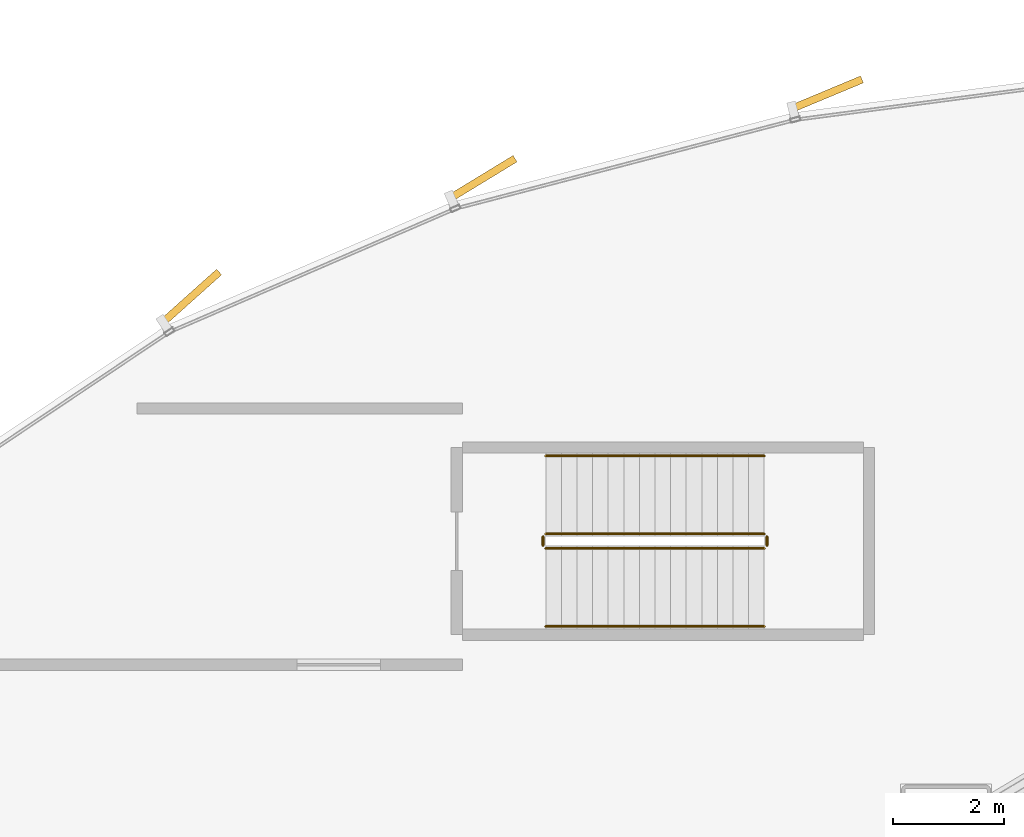
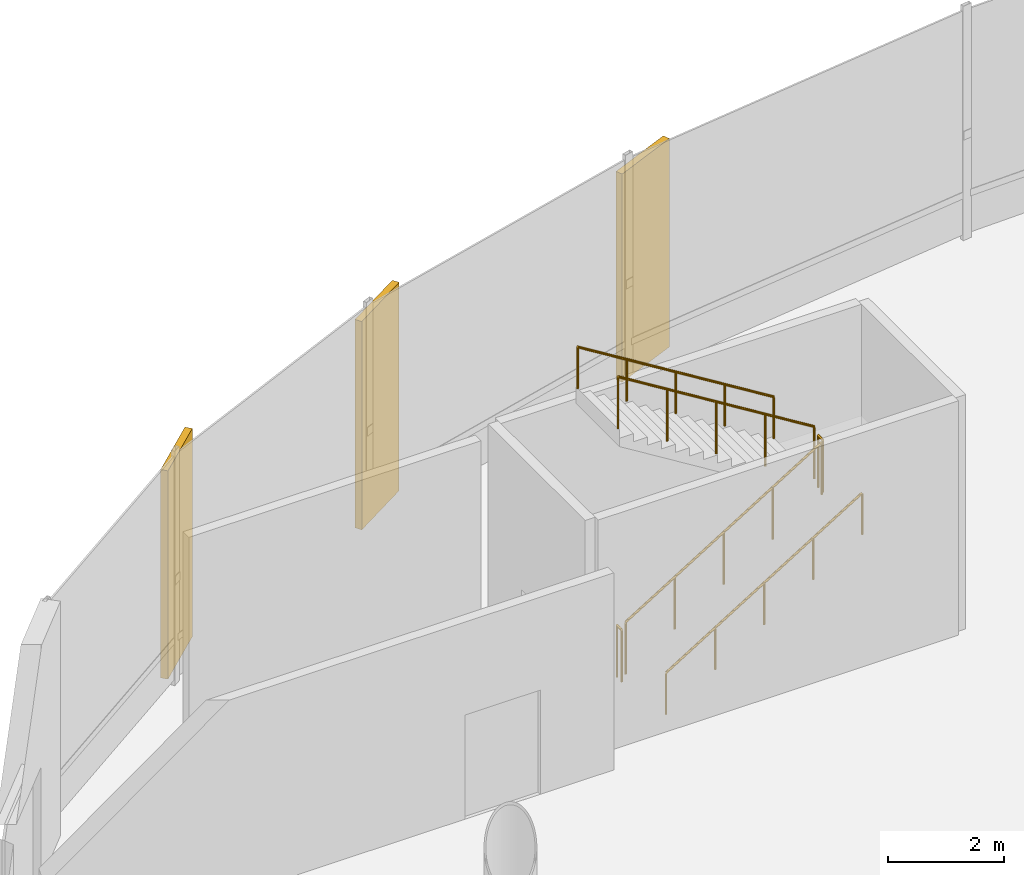
# One storey, part 32 of 35: 6 railings, 3 coverings.
"""IFC4 building model written with IfcOpenShell, lengths in metres."""

from ifc_helpers import new_model, si_unit, direction, frame, origin, origin_2d, place, context, subcontext, project, spatial, rectangle, circle, extrude, source, transform, mapped, material, layer, layer_set, type_object, element, save


model = new_model("IFC4")

# Units and contexts
model_context = context("Model", 3, precision=1e-05, world=origin(), true_north=direction((0.0, 1.0)))
body_context = subcontext(model_context, "Body", "Model", "MODEL_VIEW")
ifc_project = project(units=[si_unit("LENGTHUNIT", "METRE"), si_unit("AREAUNIT", "SQUARE_METRE"), si_unit("VOLUMEUNIT", "CUBIC_METRE"), si_unit("PLANEANGLEUNIT", "RADIAN"), si_unit("MASSUNIT", "GRAM", prefix="KILO"), si_unit("THERMODYNAMICTEMPERATUREUNIT", "KELVIN")], contexts=[model_context])

# Site, building, storey
site_placement = place(None, origin())
site = spatial("IfcSite", under=ifc_project, at=site_placement, CompositionType="ELEMENT")
building_placement = place(site_placement, origin())
building = spatial("IfcBuilding", under=site, at=building_placement, Name="Kethvar Cultural Tower", CompositionType="ELEMENT")
storey_placement = place(building_placement, origin())
storey = spatial("IfcBuildingStorey", under=building, at=storey_placement, Name="L00", CompositionType="ELEMENT", Elevation=0.0)

# Railings
ifc_material_1 = material(Name="Steel S355J2", Category="steel")
railing_type_1 = type_object("IfcRailingType", Name="RL-STAIR-GUARD", PredefinedType="BALUSTRADE", material=ifc_material_1)
railing_1_placement = place(storey_placement, frame((19.5, 46.2900390625, 0.17333984375)))
element("IfcRailing", 1, at=railing_1_placement, inside=storey, type_object=railing_type_1, Name="L00 ST-05 stair guard 1", PredefinedType="BALUSTRADE", context=body_context, shape_type="SweptSolid", body=[
    extrude(circle(Radius=0.02392578125, at=origin_2d()), frame((0.0, 0.0, 1.09619140625), z_axis=(0.850251603719, 0.0, 0.526376491091), x_axis=(0.0, 1.0, 0.0)), (0.0, 0.0, 1.0), 4.6103515625),
    extrude(circle(Radius=0.02099609375, at=origin_2d()), origin(), (0.0, 0.0, 1.0), 1.072021484375),
    extrude(circle(Radius=0.02099609375, at=origin_2d()), frame((0.97998046875, 0.0, 0.606689453125)), (0.0, 0.0, 1.0), 1.072021484375),
    extrude(circle(Radius=0.02099609375, at=origin_2d()), frame((1.9599609375, 0.0, 1.21337890625)), (0.0, 0.0, 1.0), 1.072021484375),
    extrude(circle(Radius=0.02099609375, at=origin_2d()), frame((2.93994140625, 0.0, 1.820068359375)), (0.0, 0.0, 1.0), 1.072021484375),
    extrude(circle(Radius=0.02099609375, at=origin_2d()), frame((3.919921875, 0.0, 2.4267578125)), (0.0, 0.0, 1.0), 1.072021484375),
])
railing_2_placement = place(storey_placement, frame((23.469970703125, 46.340087890625, 2.60009765625)))
element("IfcRailing", 2, at=railing_2_placement, inside=storey, type_object=railing_type_1, Name="L00 ST-05 stair guard 2", PredefinedType="BALUSTRADE", context=body_context, shape_type="SweptSolid", body=[
    extrude(circle(Radius=0.02392578125, at=origin_2d()), frame((0.0, 0.0, 1.09619140625), z_axis=(0.0, 1.0, 0.0), x_axis=(-1.0, 0.0, 0.0)), (0.0, 0.0, 1.0), 0.159912109375),
    extrude(circle(Radius=0.02099609375, at=origin_2d()), origin(), (0.0, 0.0, 1.0), 1.072021484375),
    extrude(circle(Radius=0.02099609375, at=origin_2d()), frame((0.0, 0.159912109375, 0.0)), (0.0, 0.0, 1.0), 1.072021484375),
])
railing_3_placement = place(storey_placement, frame((23.419921875, 46.550048828125, 2.7734375)))
element("IfcRailing", 3, at=railing_3_placement, inside=storey, type_object=railing_type_1, Name="L00 ST-05 stair guard 3", PredefinedType="BALUSTRADE", context=body_context, shape_type="SweptSolid", body=[
    extrude(circle(Radius=0.02392578125, at=origin_2d()), frame((0.0, 0.0, 1.09619140625), z_axis=(-0.850275303828, 0.0, 0.526338206574), x_axis=(0.0, -1.0, 0.0)), (0.0, 0.0, 1.0), 4.610107421875),
    extrude(circle(Radius=0.02099609375, at=origin_2d()), origin(), (0.0, 0.0, 1.0), 1.072021484375),
    extrude(circle(Radius=0.02099609375, at=origin_2d()), frame((-0.97998046875, 0.0, 0.606689453125)), (0.0, 0.0, 1.0), 1.072021484375),
    extrude(circle(Radius=0.02099609375, at=origin_2d()), frame((-1.9599609375, 0.0, 1.21337890625)), (0.0, 0.0, 1.0), 1.072021484375),
    extrude(circle(Radius=0.02099609375, at=origin_2d()), frame((-2.93994140625, 0.0, 1.81982421875)), (0.0, 0.0, 1.0), 1.072021484375),
    extrude(circle(Radius=0.02099609375, at=origin_2d()), frame((-3.919921875, 0.0, 2.426513671875)), (0.0, 0.0, 1.0), 1.072021484375),
])
railing_4_placement = place(storey_placement, frame((19.449951171875, 46.340087890625, 0.0)))
element("IfcRailing", 4, at=railing_4_placement, inside=storey, type_object=railing_type_1, Name="L00 ST-05 stair guard 4", PredefinedType="BALUSTRADE", context=body_context, shape_type="SweptSolid", body=[
    extrude(circle(Radius=0.02392578125, at=origin_2d()), frame((0.0, 0.0, 1.09619140625), z_axis=(0.0, 1.0, 0.0), x_axis=(-1.0, 0.0, 0.0)), (0.0, 0.0, 1.0), 0.159912109375),
    extrude(circle(Radius=0.02099609375, at=origin_2d()), origin(), (0.0, 0.0, 1.0), 1.072021484375),
    extrude(circle(Radius=0.02099609375, at=origin_2d()), frame((0.0, 0.159912109375, 0.0)), (0.0, 0.0, 1.0), 1.072021484375),
])
railing_type_2 = type_object("IfcRailingType", Name="RL-STAIR-HANDRAIL", PredefinedType="HANDRAIL", material=ifc_material_1)
railing_5_placement = place(storey_placement, frame((19.5, 44.889892578125, 0.17333984375)))
element("IfcRailing", 5, at=railing_5_placement, inside=storey, type_object=railing_type_2, Name="L00 ST-05 stair handrail 1", PredefinedType="HANDRAIL", context=body_context, shape_type="SweptSolid", body=[
    extrude(circle(Radius=0.02392578125, at=origin_2d()), frame((0.0, 0.0, 0.8759765625), z_axis=(0.850251603719, 0.0, 0.526376491091), x_axis=(0.0, 1.0, 0.0)), (0.0, 0.0, 1.0), 4.6103515625),
    extrude(circle(Radius=0.02099609375, at=origin_2d()), origin(), (0.0, 0.0, 1.0), 0.851806640625),
    extrude(circle(Radius=0.02099609375, at=origin_2d()), frame((0.97998046875, 0.0, 0.606689453125)), (0.0, 0.0, 1.0), 0.851806640625),
    extrude(circle(Radius=0.02099609375, at=origin_2d()), frame((1.9599609375, 0.0, 1.21337890625)), (0.0, 0.0, 1.0), 0.851806640625),
    extrude(circle(Radius=0.02099609375, at=origin_2d()), frame((2.93994140625, 0.0, 1.820068359375)), (0.0, 0.0, 1.0), 0.851806640625),
    extrude(circle(Radius=0.02099609375, at=origin_2d()), frame((3.919921875, 0.0, 2.4267578125)), (0.0, 0.0, 1.0), 0.851806640625),
])
railing_6_placement = place(storey_placement, frame((23.419921875, 47.949951171875, 2.7734375)))
element("IfcRailing", 6, at=railing_6_placement, inside=storey, type_object=railing_type_2, Name="L00 ST-05 stair handrail 2", PredefinedType="HANDRAIL", context=body_context, shape_type="SweptSolid", body=[
    extrude(circle(Radius=0.02392578125, at=origin_2d()), frame((0.0, 0.0, 0.8759765625), z_axis=(-0.850275303828, 0.0, 0.526338206574), x_axis=(0.0, -1.0, 0.0)), (0.0, 0.0, 1.0), 4.610107421875),
    extrude(circle(Radius=0.02099609375, at=origin_2d()), origin(), (0.0, 0.0, 1.0), 0.851806640625),
    extrude(circle(Radius=0.02099609375, at=origin_2d()), frame((-0.97998046875, 0.0, 0.606689453125)), (0.0, 0.0, 1.0), 0.851806640625),
    extrude(circle(Radius=0.02099609375, at=origin_2d()), frame((-1.9599609375, 0.0, 1.21337890625)), (0.0, 0.0, 1.0), 0.851806640625),
    extrude(circle(Radius=0.02099609375, at=origin_2d()), frame((-2.93994140625, 0.0, 1.81982421875)), (0.0, 0.0, 1.0), 0.851806640625),
    extrude(circle(Radius=0.02099609375, at=origin_2d()), frame((-3.919921875, 0.0, 2.426513671875)), (0.0, 0.0, 1.0), 0.851806640625),
])

# Coverings
ifc_material_2 = material(Name="Extruded Architectural Terracotta", Category="masonry")
ifc_layer = layer(ifc_material_2, 0.135009765625, Name="Extruded Architectural Terracotta", Category="masonry")
ifc_layer_set = layer_set([ifc_layer], Name="Extruded Architectural Terracotta (135 mm)")
covering_type = type_object("IfcCoveringType", Name="Terracotta Facade Fin FIN-04", PredefinedType="CLADDING", material=ifc_layer_set)
shared_shape = source(origin(), body_context, "Body", "SweptSolid", [
    extrude(rectangle(XDim=1.35009765625, YDim=0.135009765625, at=origin_2d()), origin(), (0.0, 0.0, 1.0), 4.39990234375),
])
for number, where, z_axis, x_axis, name in (
    (7, (24.552734375, 54.447998046875, 0.02001953125), (0.0, 0.0, 1.0), (0.922807277859, 0.385261895248, 0.0), "L00 Vertical Terracotta Fin 2.4"),
    (8, (18.371337890625, 52.93359375, 0.02001953125), (0.0, 0.0, 1.0), (0.854005138885, 0.520264569962, 0.0), "L00 Vertical Terracotta Fin 2.5"),
    (9, (13.13232421875, 50.800537109375, 0.02001953125), (0.0, 0.0, 1.0), (0.745243290547, 0.66679264985, 0.0), "L00 Vertical Terracotta Fin 2.6"),
):
    element("IfcCovering", number, at=place(storey_placement, frame(where, z_axis=z_axis, x_axis=x_axis)), inside=storey, type_object=covering_type, Name=name, PredefinedType="CLADDING", context=body_context, shape_type="MappedRepresentation", body=[
        mapped(shared_shape, transform((0.0, 0.0, 0.0), scale=1.0)),
    ])

save(model, "model.ifc")
